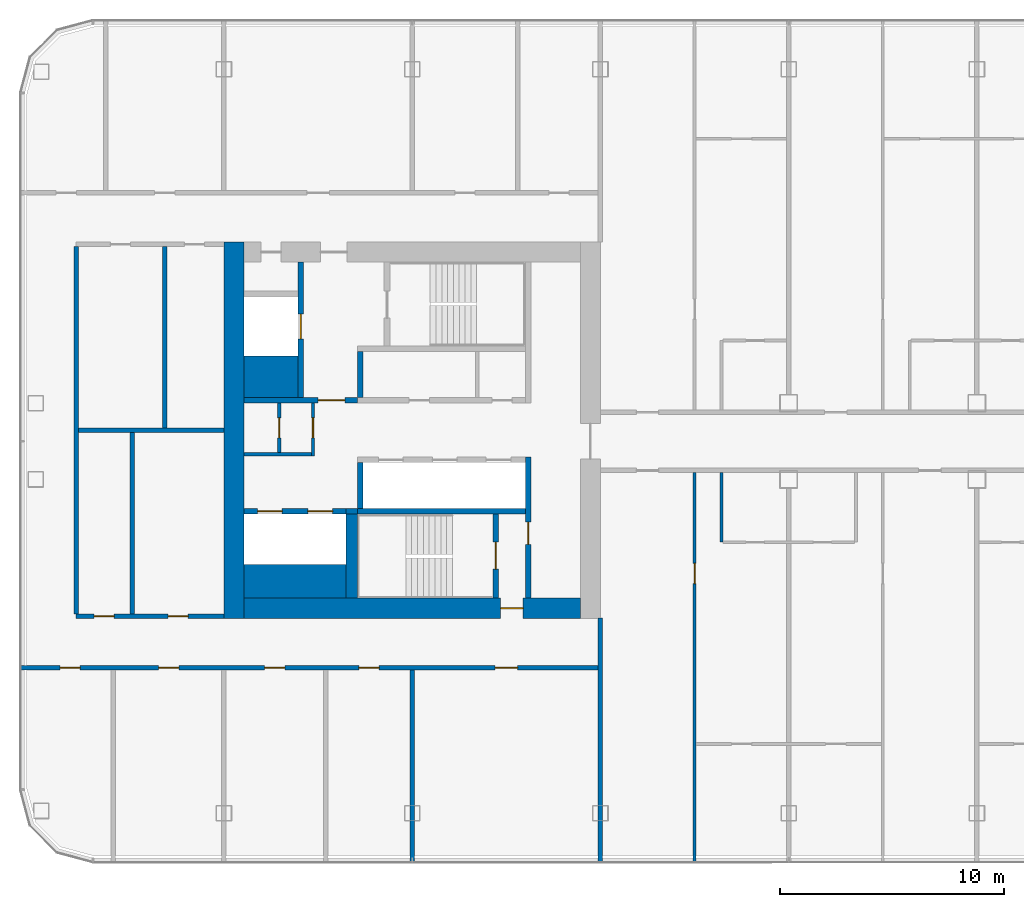
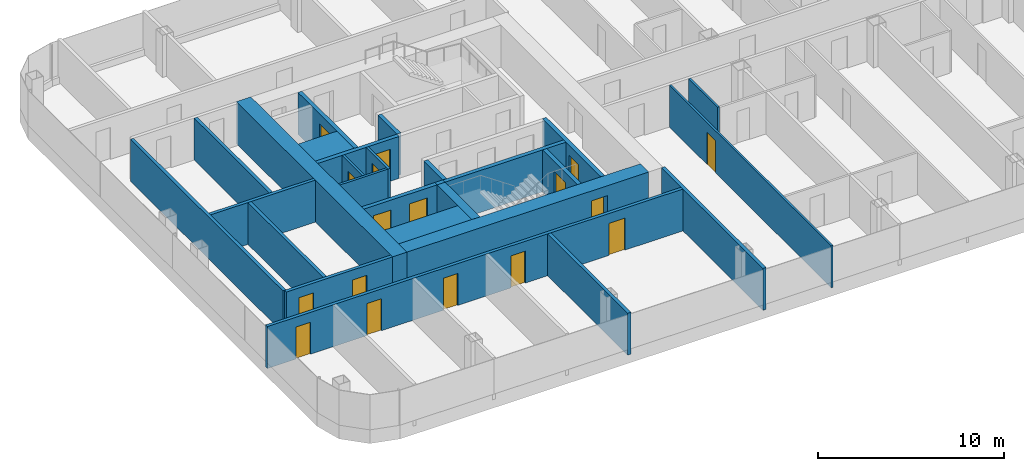
# One storey, part 12 of 26: 27 walls, 17 doors, 17 openings.
"""IFC4 building model written with IfcOpenShell, lengths in metres."""

from ifc_helpers import new_model, si_unit, direction, frame, frame_2d, origin, place, context, subcontext, project, spatial, rectangle, extrude, material, layer, layer_set, type_object, element, fill, save


model = new_model("IFC4")

# Units and contexts
model_context = context("Model", 3, precision=1e-05, world=origin(), true_north=direction((0.0, 1.0)))
body_context = subcontext(model_context, "Body", "Model", "MODEL_VIEW")
ifc_project = project(units=[si_unit("LENGTHUNIT", "METRE"), si_unit("AREAUNIT", "SQUARE_METRE"), si_unit("VOLUMEUNIT", "CUBIC_METRE"), si_unit("PLANEANGLEUNIT", "RADIAN"), si_unit("MASSUNIT", "GRAM", prefix="KILO")], contexts=[model_context])

# Site, building, storey
site_placement = place(None, origin())
site = spatial("IfcSite", under=ifc_project, at=site_placement, CompositionType="ELEMENT")
building_placement = place(site_placement, origin())
building = spatial("IfcBuilding", under=site, at=building_placement, Name="Hakoniwa Tower and Hamabe Station Hall", CompositionType="ELEMENT")
storey_placement = place(building_placement, frame((0.0, 0.0, 159.800048828125)))
storey = spatial("IfcBuildingStorey", under=building, at=storey_placement, Name="L45", CompositionType="ELEMENT", Elevation=159.800048828125)

# Wall
ifc_material_1 = material(Name="Gypsum board partition", Category="gypsum")
ifc_layer_1 = layer(ifc_material_1, 0.125)
ifc_layer_set_1 = layer_set([ifc_layer_1], Name="Bathroom Partition 125")
wall_type_1 = type_object("IfcWallType", Name="Bathroom Partition 125", PredefinedType="PARTITIONING", material=ifc_layer_set_1)
wall_1_placement = place(storey_placement, frame((-11.39990234375, -5.0, 0.0), z_axis=(0.0, 0.0, 1.0), x_axis=(0.0, 1.0, 0.0)))
element("IfcWall", 1, at=wall_1_placement, inside=storey, type_object=wall_type_1, Name="GW-L45-041", PredefinedType="PARTITIONING", context=body_context, shape_type="SweptSolid", body=[
    extrude(rectangle(XDim=3.10009765625, YDim=0.125, at=frame_2d((1.550048828125, 0.0))), origin(), (0.0, 0.0, 1.0), 2.75),
])

# Wall, opening, door
ifc_material_2 = material(Name="Gypsum board partition")
ifc_layer_2 = layer(ifc_material_2, 0.14990234375)
ifc_layer_set_2 = layer_set([ifc_layer_2], Name="CORE PARTITION 150 EI 60")
wall_type_2 = type_object("IfcWallType", Name="CORE PARTITION 150 EI 60", PredefinedType="PARTITIONING", material=ifc_layer_set_2)
wall_2_placement = place(storey_placement, frame((-29.625, -1.14990234375, 0.0), z_axis=(0.0, 0.0, 1.0), x_axis=(0.0, 1.0, 0.0)))
wall_2 = element("IfcWall", 2, at=wall_2_placement, inside=storey, type_object=wall_type_2, Name="Core partition PW0 west", PredefinedType="PARTITIONING", context=body_context, shape_type="SweptSolid", body=[
    extrude(rectangle(XDim=2.349853515625, YDim=0.14990234375, at=frame_2d((1.1748046875, 0.0))), origin(), (0.0, 0.0, 1.0), 2.75),
])
opening_1_placement = place(wall_2_placement, frame((0.800048828125, 0.0, 0.0)))
opening_1 = element("IfcOpeningElement", 3, at=opening_1_placement, cuts=wall_2, Name="Opening CD-W-RM1-9", PredefinedType="OPENING", context=body_context, shape_type="SweptSolid", body=[
    extrude(rectangle(XDim=0.89990234375, YDim=2.10009765625, at=frame_2d((0.449951171875, 1.050048828125))), frame((0.0, 0.0849609375, 0.0), z_axis=(0.0, -1.0, 0.0), x_axis=(1.0, 0.0, 0.0)), (0.0, 0.0, 1.0), 0.169921875),
])
ifc_material_3 = material(Name="Steel fire door", Category="steel")
door_type_1 = type_object("IfcDoorType", Name="CORE DOOR 900 FD30", OperationType="NOTDEFINED", PredefinedType="DOOR", material=ifc_material_3)
door_1_placement = place(opening_1_placement, origin())
door_1 = element("IfcDoor", 4, at=door_1_placement, inside=storey, type_object=door_type_1, Name="Store room door", OperationType="SINGLE_SWING_RIGHT", OverallHeight=2.10009765625, OverallWidth=0.89990234375, PredefinedType="DOOR", context=body_context, shape_type="SweptSolid", body=[
    extrude(rectangle(XDim=0.89990234375, YDim=2.10009765625, at=frame_2d((0.449951171875, 1.050048828125))), frame((0.0, 0.02490234375, 0.0), z_axis=(0.0, -1.0, 0.0), x_axis=(1.0, 0.0, 0.0)), (0.0, 0.0, 1.0), 0.050048828125),
])
fill(opening_1, door_1)

# Wall
wall_3_placement = place(storey_placement, frame((-32.699951171875, -1.074951171875, 0.0), z_axis=(0.0, 0.0, 1.0), x_axis=(1.0, 0.0, 0.0)))
element("IfcWall", 5, at=wall_3_placement, inside=storey, type_object=wall_type_2, Name="Core partition PS west", PredefinedType="PARTITIONING", context=body_context, shape_type="SweptSolid", body=[
    extrude(rectangle(XDim=3.0, YDim=0.14990234375, at=frame_2d((1.5, 0.0))), origin(), (0.0, 0.0, 1.0), 2.75),
])

# Wall, opening, door
wall_4_placement = place(storey_placement, frame((-31.125, -1.0, 0.0), z_axis=(0.0, 0.0, 1.0), x_axis=(0.0, 1.0, 0.0)))
wall_4 = element("IfcWall", 6, at=wall_4_placement, inside=storey, type_object=wall_type_2, Name="Core partition PW1 west", PredefinedType="PARTITIONING", context=body_context, shape_type="SweptSolid", body=[
    extrude(rectangle(XDim=2.199951171875, YDim=0.14990234375, at=frame_2d((1.10009765625, 0.0))), origin(), (0.0, 0.0, 1.0), 2.75),
])
opening_2_placement = place(wall_4_placement, frame((0.64990234375, 0.0, 0.0)))
opening_2 = element("IfcOpeningElement", 7, at=opening_2_placement, cuts=wall_4, Name="Opening CD-W-RM2-9", PredefinedType="OPENING", context=body_context, shape_type="SweptSolid", body=[
    extrude(rectangle(XDim=0.89990234375, YDim=2.10009765625, at=frame_2d((0.449951171875, 1.050048828125))), frame((0.0, 0.0849609375, 0.0), z_axis=(0.0, -1.0, 0.0), x_axis=(1.0, 0.0, 0.0)), (0.0, 0.0, 1.0), 0.169921875),
])
door_2_placement = place(opening_2_placement, origin())
door_2 = element("IfcDoor", 8, at=door_2_placement, inside=storey, type_object=door_type_1, Name="Store room door", OperationType="SINGLE_SWING_RIGHT", OverallHeight=2.10009765625, OverallWidth=0.89990234375, PredefinedType="DOOR", context=body_context, shape_type="SweptSolid", body=[
    extrude(rectangle(XDim=0.89990234375, YDim=2.10009765625, at=frame_2d((0.449951171875, 1.050048828125))), frame((0.0, 0.02490234375, 0.0), z_axis=(0.0, -1.0, 0.0), x_axis=(1.0, 0.0, 0.0)), (0.0, 0.0, 1.0), 0.050048828125),
])
fill(opening_2, door_2)

# Wall
ifc_material_4 = material(Name="Concrete C66", Category="concrete")
ifc_layer_3 = layer(ifc_material_4, 0.89990234375)
ifc_layer_set_3 = layer_set([ifc_layer_3], Name="CORE WALL 900 C66")
wall_type_3 = type_object("IfcWallType", Name="CORE WALL 900 C66", PredefinedType="SHEAR", material=ifc_layer_set_3)
wall_5_placement = place(storey_placement, frame((-33.14990234375, -8.39990234375, 0.0), z_axis=(0.0, 0.0, 1.0), x_axis=(0.0, 1.0, 0.0)))
element("IfcWall", 9, at=wall_5_placement, inside=storey, type_object=wall_type_3, Name="Core wall OUTER west", PredefinedType="SHEAR", context=body_context, shape_type="SweptSolid", body=[
    extrude(rectangle(XDim=16.7998046875, YDim=0.89990234375, at=frame_2d((8.39990234375, 0.0))), origin(), (0.0, 0.0, 1.0), 2.75),
])

# Wall, opening, door
wall_6_placement = place(storey_placement, frame((-32.699951171875, -7.949951171875, 0.0), z_axis=(0.0, 0.0, 1.0), x_axis=(1.0, 0.0, 0.0)))
wall_6 = element("IfcWall", 10, at=wall_6_placement, inside=storey, type_object=wall_type_3, Name="Core wall SOUTH west", PredefinedType="SHEAR", context=body_context, shape_type="SweptSolid", body=[
    extrude(rectangle(XDim=15.0, YDim=0.89990234375, at=frame_2d((7.5, 0.0))), origin(), (0.0, 0.0, 1.0), 2.75),
])
opening_3_placement = place(wall_6_placement, frame((11.449951171875, 0.0, 0.0)))
opening_3 = element("IfcOpeningElement", 11, at=opening_3_placement, cuts=wall_6, Name="Opening CD-W-FS3-10", PredefinedType="OPENING", context=body_context, shape_type="SweptSolid", body=[
    extrude(rectangle(XDim=1.0, YDim=2.10009765625, at=frame_2d((0.5, 1.050048828125))), frame((0.0, 0.4599609375, 0.0), z_axis=(0.0, -1.0, 0.0), x_axis=(1.0, 0.0, 0.0)), (0.0, 0.0, 1.0), 0.919921875),
])
ifc_material_5 = material(Name="Steel fire door", Category="steel")
door_type_2 = type_object("IfcDoorType", Name="CORE DOOR 1000 FD60", OperationType="NOTDEFINED", PredefinedType="DOOR", material=ifc_material_5)
door_3_placement = place(opening_3_placement, origin())
door_3 = element("IfcDoor", 12, at=door_3_placement, inside=storey, type_object=door_type_2, Name="Stair vestibule door", OperationType="SINGLE_SWING_RIGHT", OverallHeight=2.10009765625, OverallWidth=1.0, PredefinedType="DOOR", context=body_context, shape_type="SweptSolid", body=[
    extrude(rectangle(XDim=1.0, YDim=2.10009765625, at=frame_2d((0.5, 1.050048828125))), frame((0.0, 0.02490234375, 0.0), z_axis=(0.0, -1.0, 0.0), x_axis=(1.0, 0.0, 0.0)), (0.0, 0.0, 1.0), 0.050048828125),
])
fill(opening_3, door_3)

# Walls
ifc_material_6 = material(Name="Concrete C66", Category="concrete")
ifc_layer_4 = layer(ifc_material_6, 1.5)
ifc_layer_set_4 = layer_set([ifc_layer_4], Name="CORE WEB WALL 1500 C66")
wall_type_4 = type_object("IfcWallType", Name="CORE WEB WALL 1500 C66", PredefinedType="SHEAR", material=ifc_layer_set_4)
wall_7_placement = place(storey_placement, frame((-32.699951171875, -6.75, 0.0), z_axis=(0.0, 0.0, 1.0), x_axis=(1.0, 0.0, 0.0)))
element("IfcWall", 13, at=wall_7_placement, inside=storey, type_object=wall_type_4, Name="Core wall SER west", PredefinedType="SHEAR", context=body_context, shape_type="SweptSolid", body=[
    extrude(rectangle(XDim=4.550048828125, YDim=1.5, at=frame_2d((2.27490234375, 0.0))), origin(), (0.0, 0.0, 1.0), 2.75),
])
ifc_material_7 = material(Name="Concrete C66", Category="concrete")
ifc_layer_5 = layer(ifc_material_7, 1.85009765625)
ifc_layer_set_5 = layer_set([ifc_layer_5], Name="CORE WEB WALL 1850 C66")
wall_type_5 = type_object("IfcWallType", Name="CORE WEB WALL 1850 C66", PredefinedType="SHEAR", material=ifc_layer_set_5)
wall_8_placement = place(storey_placement, frame((-32.699951171875, 2.375, 0.0), z_axis=(0.0, 0.0, 1.0), x_axis=(1.0, 0.0, 0.0)))
element("IfcWall", 14, at=wall_8_placement, inside=storey, type_object=wall_type_5, Name="Core wall CA west", PredefinedType="SHEAR", context=body_context, shape_type="SweptSolid", body=[
    extrude(rectangle(XDim=2.39990234375, YDim=1.85009765625, at=frame_2d((1.199951171875, 0.0))), origin(), (0.0, 0.0, 1.0), 2.75),
])

# Wall, opening, door
ifc_material_8 = material(Name="Concrete C66", Category="concrete")
ifc_layer_6 = layer(ifc_material_8, 0.25)
ifc_layer_set_6 = layer_set([ifc_layer_6], Name="CORE WEB WALL 250 C66")
wall_type_6 = type_object("IfcWallType", Name="CORE WEB WALL 250 C66", PredefinedType="SHEAR", material=ifc_layer_set_6)
wall_9_placement = place(storey_placement, frame((-20.02490234375, -7.5, 0.0), z_axis=(0.0, 0.0, 1.0), x_axis=(0.0, 1.0, 0.0)))
wall_9 = element("IfcWall", 15, at=wall_9_placement, inside=storey, type_object=wall_type_6, Name="Core wall W1S west", PredefinedType="SHEAR", context=body_context, shape_type="SweptSolid", body=[
    extrude(rectangle(XDim=6.300048828125, YDim=0.25, at=frame_2d((3.14990234375, 0.0))), origin(), (0.0, 0.0, 1.0), 2.75),
])
opening_4_placement = place(wall_9_placement, frame((2.39990234375, 0.0, 0.0)))
opening_4 = element("IfcOpeningElement", 16, at=opening_4_placement, cuts=wall_9, Name="Opening CD-W-VS-10", PredefinedType="OPENING", context=body_context, shape_type="SweptSolid", body=[
    extrude(rectangle(XDim=1.0, YDim=2.10009765625, at=frame_2d((0.5, 1.050048828125))), frame((0.0, 0.135009765625, 0.0), z_axis=(0.0, -1.0, 0.0), x_axis=(1.0, 0.0, 0.0)), (0.0, 0.0, 1.0), 0.27001953125),
])
door_4_placement = place(opening_4_placement, origin())
door_4 = element("IfcDoor", 17, at=door_4_placement, inside=storey, type_object=door_type_2, Name="Stair vestibule door", OperationType="SINGLE_SWING_LEFT", OverallHeight=2.10009765625, OverallWidth=1.0, PredefinedType="DOOR", context=body_context, shape_type="SweptSolid", body=[
    extrude(rectangle(XDim=1.0, YDim=2.10009765625, at=frame_2d((0.5, 1.050048828125))), frame((0.0, 0.02490234375, 0.0), z_axis=(0.0, -1.0, 0.0), x_axis=(1.0, 0.0, 0.0)), (0.0, 0.0, 1.0), 0.050048828125),
])
fill(opening_4, door_4)

# Wall
wall_10_placement = place(storey_placement, frame((-27.52490234375, 1.449951171875, 0.0), z_axis=(0.0, 0.0, 1.0), x_axis=(0.0, 1.0, 0.0)))
element("IfcWall", 18, at=wall_10_placement, inside=storey, type_object=wall_type_6, Name="Core wall NE west", PredefinedType="SHEAR", context=body_context, shape_type="SweptSolid", body=[
    extrude(rectangle(XDim=2.050048828125, YDim=0.25, at=frame_2d((1.02490234375, 0.0))), origin(), (0.0, 0.0, 1.0), 2.75),
])

# Wall, opening, door
wall_11_placement = place(storey_placement, frame((-32.699951171875, 1.324951171875, 0.0), z_axis=(0.0, 0.0, 1.0), x_axis=(1.0, 0.0, 0.0)))
wall_11 = element("IfcWall", 19, at=wall_11_placement, inside=storey, type_object=wall_type_6, Name="Core wall ELN west", PredefinedType="SHEAR", context=body_context, shape_type="SweptSolid", body=[
    extrude(rectangle(XDim=5.050048828125, YDim=0.25, at=frame_2d((2.52490234375, 0.0))), origin(), (0.0, 0.0, 1.0), 2.75),
])
opening_5_placement = place(wall_11_placement, frame((3.300048828125, 0.0, 0.0)))
opening_5 = element("IfcOpeningElement", 20, at=opening_5_placement, cuts=wall_11, Name="Opening CD-W-FL-12", PredefinedType="OPENING", context=body_context, shape_type="SweptSolid", body=[
    extrude(rectangle(XDim=1.199951171875, YDim=2.10009765625, at=frame_2d((0.60009765625, 1.050048828125))), frame((0.0, 0.135009765625, 0.0), z_axis=(0.0, -1.0, 0.0), x_axis=(1.0, 0.0, 0.0)), (0.0, 0.0, 1.0), 0.27001953125),
])
ifc_material_9 = material(Name="Steel fire door", Category="steel")
door_type_3 = type_object("IfcDoorType", Name="CORE DOOR 1200 FD60", OperationType="DOUBLE_DOOR_SINGLE_SWING", PredefinedType="DOOR", material=ifc_material_9)
door_5_placement = place(opening_5_placement, origin())
door_5 = element("IfcDoor", 21, at=door_5_placement, inside=storey, type_object=door_type_3, Name="Stair vestibule door to the fire-fighting lobby", OperationType="DOUBLE_DOOR_SINGLE_SWING", OverallHeight=2.10009765625, OverallWidth=1.199951171875, PredefinedType="DOOR", context=body_context, shape_type="SweptSolid", body=[
    extrude(rectangle(XDim=1.199951171875, YDim=2.10009765625, at=frame_2d((0.60009765625, 1.050048828125))), frame((0.0, 0.02490234375, 0.0), z_axis=(0.0, -1.0, 0.0), x_axis=(1.0, 0.0, 0.0)), (0.0, 0.0, 1.0), 0.050048828125),
])
fill(opening_5, door_5)

wall_12_placement = place(storey_placement, frame((-30.175048828125, 1.449951171875, 0.0), z_axis=(0.0, 0.0, 1.0), x_axis=(0.0, 1.0, 0.0)))
wall_12 = element("IfcWall", 22, at=wall_12_placement, inside=storey, type_object=wall_type_6, Name="Core wall FFF west", PredefinedType="SHEAR", context=body_context, shape_type="SweptSolid", body=[
    extrude(rectangle(XDim=6.050048828125, YDim=0.25, at=frame_2d((3.02490234375, 0.0))), origin(), (0.0, 0.0, 1.0), 2.75),
])
opening_6_placement = place(wall_12_placement, frame((2.625, 0.0, 0.0)))
opening_6 = element("IfcOpeningElement", 23, at=opening_6_placement, cuts=wall_12, Name="Opening LD-FF1", PredefinedType="OPENING", context=body_context, shape_type="SweptSolid", body=[
    extrude(rectangle(XDim=1.10009765625, YDim=2.10009765625, at=frame_2d((0.550048828125, 1.050048828125))), frame((0.0, 0.135009765625, 0.0), z_axis=(0.0, -1.0, 0.0), x_axis=(1.0, 0.0, 0.0)), (0.0, 0.0, 1.0), 0.27001953125),
])
ifc_material_10 = material(Name="Stainless steel SUS304", Category="steel")
door_type_4 = type_object("IfcDoorType", Name="LIFT LANDING DOOR 1100 FD60", OperationType="DOUBLE_DOOR_SLIDING", PredefinedType="DOOR", material=ifc_material_10)
door_6_placement = place(opening_6_placement, origin())
door_6 = element("IfcDoor", 24, at=door_6_placement, inside=storey, type_object=door_type_4, Name="Lift landing door FF1 L45", OperationType="DOUBLE_DOOR_SLIDING", OverallHeight=2.10009765625, OverallWidth=1.10009765625, PredefinedType="DOOR", context=body_context, shape_type="SweptSolid", body=[
    extrude(rectangle(XDim=1.10009765625, YDim=2.10009765625, at=frame_2d((0.550048828125, 1.050048828125))), frame((0.0, 0.02490234375, 0.0), z_axis=(0.0, -1.0, 0.0), x_axis=(1.0, 0.0, 0.0)), (0.0, 0.0, 1.0), 0.050048828125),
])
fill(opening_6, door_6)

# Walls
wall_13_placement = place(storey_placement, frame((-27.52490234375, -3.5, 0.0), z_axis=(0.0, 0.0, 1.0), x_axis=(0.0, 1.0, 0.0)))
element("IfcWall", 25, at=wall_13_placement, inside=storey, type_object=wall_type_6, Name="Core wall SE west", PredefinedType="SHEAR", context=body_context, shape_type="SweptSolid", body=[
    extrude(rectangle(XDim=2.050048828125, YDim=0.25, at=frame_2d((1.02490234375, 0.0))), origin(), (0.0, 0.0, 1.0), 2.75),
])
wall_14_placement = place(storey_placement, frame((-27.64990234375, -3.625, 0.0), z_axis=(0.0, 0.0, 1.0), x_axis=(1.0, 0.0, 0.0)))
element("IfcWall", 26, at=wall_14_placement, inside=storey, type_object=wall_type_6, Name="Core wall SR west", PredefinedType="SHEAR", context=body_context, shape_type="SweptSolid", body=[
    extrude(rectangle(XDim=7.5, YDim=0.25, at=frame_2d((3.75, 0.0))), origin(), (0.0, 0.0, 1.0), 2.75),
])

# Wall, opening, door
wall_15_placement = place(storey_placement, frame((-21.47509765625, -7.5, 0.0), z_axis=(0.0, 0.0, 1.0), x_axis=(0.0, 1.0, 0.0)))
wall_15 = element("IfcWall", 27, at=wall_15_placement, inside=storey, type_object=wall_type_6, Name="Core wall VE west", PredefinedType="SHEAR", context=body_context, shape_type="SweptSolid", body=[
    extrude(rectangle(XDim=3.75, YDim=0.25, at=frame_2d((1.875, 0.0))), origin(), (0.0, 0.0, 1.0), 2.75),
])
opening_7_placement = place(wall_15_placement, frame((1.300048828125, 0.0, 0.0)))
opening_7 = element("IfcOpeningElement", 28, at=opening_7_placement, cuts=wall_15, Name="Opening CD-W-SS-12", PredefinedType="OPENING", context=body_context, shape_type="SweptSolid", body=[
    extrude(rectangle(XDim=1.199951171875, YDim=2.10009765625, at=frame_2d((0.60009765625, 1.050048828125))), frame((0.0, 0.135009765625, 0.0), z_axis=(0.0, -1.0, 0.0), x_axis=(1.0, 0.0, 0.0)), (0.0, 0.0, 1.0), 0.27001953125),
])
door_7_placement = place(opening_7_placement, origin())
door_7 = element("IfcDoor", 29, at=door_7_placement, inside=storey, type_object=door_type_3, Name="Escape stair door", OperationType="DOUBLE_DOOR_SINGLE_SWING", OverallHeight=2.10009765625, OverallWidth=1.199951171875, PredefinedType="DOOR", context=body_context, shape_type="SweptSolid", body=[
    extrude(rectangle(XDim=1.199951171875, YDim=2.10009765625, at=frame_2d((0.60009765625, 1.050048828125))), frame((0.0, 0.02490234375, 0.0), z_axis=(0.0, -1.0, 0.0), x_axis=(1.0, 0.0, 0.0)), (0.0, 0.0, 1.0), 0.050048828125),
])
fill(opening_7, door_7)

# Wall, openings, doors
wall_16_placement = place(storey_placement, frame((-32.699951171875, -3.625, 0.0), z_axis=(0.0, 0.0, 1.0), x_axis=(1.0, 0.0, 0.0)))
wall_16 = element("IfcWall", 30, at=wall_16_placement, inside=storey, type_object=wall_type_6, Name="Core wall SEF west", PredefinedType="SHEAR", context=body_context, shape_type="SweptSolid", body=[
    extrude(rectangle(XDim=4.550048828125, YDim=0.25, at=frame_2d((2.27490234375, 0.0))), origin(), (0.0, 0.0, 1.0), 2.75),
])
opening_8_placement = place(wall_16_placement, frame((2.85009765625, 0.0, 0.0)))
opening_8 = element("IfcOpeningElement", 31, at=opening_8_placement, cuts=wall_16, Name="Opening LD-SV1", PredefinedType="OPENING", context=body_context, shape_type="SweptSolid", body=[
    extrude(rectangle(XDim=1.10009765625, YDim=2.10009765625, at=frame_2d((0.550048828125, 1.050048828125))), frame((0.0, 0.135009765625, 0.0), z_axis=(0.0, -1.0, 0.0), x_axis=(1.0, 0.0, 0.0)), (0.0, 0.0, 1.0), 0.27001953125),
])
opening_9_placement = place(wall_16_placement, frame((0.60009765625, 0.0, 0.0)))
opening_9 = element("IfcOpeningElement", 32, at=opening_9_placement, cuts=wall_16, Name="Opening LD-SV2", PredefinedType="OPENING", context=body_context, shape_type="SweptSolid", body=[
    extrude(rectangle(XDim=1.10009765625, YDim=2.10009765625, at=frame_2d((0.550048828125, 1.050048828125))), frame((0.0, 0.135009765625, 0.0), z_axis=(0.0, -1.0, 0.0), x_axis=(1.0, 0.0, 0.0)), (0.0, 0.0, 1.0), 0.27001953125),
])
door_8_placement = place(opening_8_placement, origin())
door_8 = element("IfcDoor", 33, at=door_8_placement, inside=storey, type_object=door_type_4, Name="Lift landing door SV1 L45", OperationType="DOUBLE_DOOR_SLIDING", OverallHeight=2.10009765625, OverallWidth=1.10009765625, PredefinedType="DOOR", context=body_context, shape_type="SweptSolid", body=[
    extrude(rectangle(XDim=1.10009765625, YDim=2.10009765625, at=frame_2d((0.550048828125, 1.050048828125))), frame((0.0, 0.02490234375, 0.0), z_axis=(0.0, -1.0, 0.0), x_axis=(1.0, 0.0, 0.0)), (0.0, 0.0, 1.0), 0.050048828125),
])
fill(opening_8, door_8)
door_9_placement = place(opening_9_placement, origin())
door_9 = element("IfcDoor", 34, at=door_9_placement, inside=storey, type_object=door_type_4, Name="Lift landing door SV2 L45", OperationType="DOUBLE_DOOR_SLIDING", OverallHeight=2.10009765625, OverallWidth=1.10009765625, PredefinedType="DOOR", context=body_context, shape_type="SweptSolid", body=[
    extrude(rectangle(XDim=1.10009765625, YDim=2.10009765625, at=frame_2d((0.550048828125, 1.050048828125))), frame((0.0, 0.02490234375, 0.0), z_axis=(0.0, -1.0, 0.0), x_axis=(1.0, 0.0, 0.0)), (0.0, 0.0, 1.0), 0.050048828125),
])
fill(opening_9, door_9)

# Walls
wall_17_placement = place(storey_placement, frame((-28.14990234375, -3.625, 0.0), z_axis=(0.0, 0.0, 1.0), x_axis=(1.0, 0.0, 0.0)))
element("IfcWall", 35, at=wall_17_placement, inside=storey, type_object=wall_type_6, Name="Core wall SRK west", PredefinedType="SHEAR", context=body_context, shape_type="SweptSolid", body=[
    extrude(rectangle(XDim=0.5, YDim=0.25, at=frame_2d((0.25, 0.0))), origin(), (0.0, 0.0, 1.0), 2.75),
])
ifc_material_11 = material(Name="Concrete C66", Category="concrete")
ifc_layer_7 = layer(ifc_material_11, 0.5)
ifc_layer_set_7 = layer_set([ifc_layer_7], Name="CORE WEB WALL 500 C66")
wall_type_7 = type_object("IfcWallType", Name="CORE WEB WALL 500 C66", PredefinedType="SHEAR", material=ifc_layer_set_7)
wall_18_placement = place(storey_placement, frame((-27.89990234375, -7.5, 0.0), z_axis=(0.0, 0.0, 1.0), x_axis=(0.0, 1.0, 0.0)))
element("IfcWall", 36, at=wall_18_placement, inside=storey, type_object=wall_type_7, Name="Core wall SSE west", PredefinedType="SHEAR", context=body_context, shape_type="SweptSolid", body=[
    extrude(rectangle(XDim=3.75, YDim=0.5, at=frame_2d((1.875, 0.0))), origin(), (0.0, 0.0, 1.0), 2.75),
])

# Wall, openings, doors
ifc_material_12 = material(Name="Fire-rated gypsum board partition", Category="gypsum")
ifc_layer_8 = layer(ifc_material_12, 0.199951171875)
ifc_layer_set_8 = layer_set([ifc_layer_8], Name="Corridor Wall 200")
wall_type_8 = type_object("IfcWallType", Name="Corridor Wall 200", PredefinedType="PARTITIONING", material=ifc_layer_set_8)
wall_19_placement = place(storey_placement, frame((-42.699951171875, -10.60009765625, 0.0), z_axis=(0.0, 0.0, 1.0), x_axis=(1.0, 0.0, 0.0)))
wall_19 = element("IfcWall", 37, at=wall_19_placement, inside=storey, type_object=wall_type_8, Name="GW-L45-004", PredefinedType="PARTITIONING", context=body_context, shape_type="SweptSolid", body=[
    extrude(rectangle(XDim=25.89990234375, YDim=0.199951171875, at=frame_2d((12.949951171875, 0.0))), origin(), (0.0, 0.0, 1.0), 2.75),
])
opening_10_placement = place(wall_19_placement, frame((1.784912109375, 0.0, 0.0)))
opening_10 = element("IfcOpeningElement", 38, at=opening_10_placement, cuts=wall_19, Name="Opening GD-G3E1-05", PredefinedType="OPENING", context=body_context, shape_type="SweptSolid", body=[
    extrude(rectangle(XDim=0.89990234375, YDim=2.10009765625, at=frame_2d((0.449951171875, 1.050048828125))), frame((0.0, 0.10986328125, 0.0), z_axis=(0.0, -1.0, 0.0), x_axis=(1.0, 0.0, 0.0)), (0.0, 0.0, 1.0), 0.219970703125),
])
opening_11_placement = place(wall_19_placement, frame((6.18505859375, 0.0, 0.0)))
opening_11 = element("IfcOpeningElement", 39, at=opening_11_placement, cuts=wall_19, Name="Opening GD-G3E1-06", PredefinedType="OPENING", context=body_context, shape_type="SweptSolid", body=[
    extrude(rectangle(XDim=0.89990234375, YDim=2.10009765625, at=frame_2d((0.449951171875, 1.050048828125))), frame((0.0, 0.10986328125, 0.0), z_axis=(0.0, -1.0, 0.0), x_axis=(1.0, 0.0, 0.0)), (0.0, 0.0, 1.0), 0.219970703125),
])
opening_12_placement = place(wall_19_placement, frame((10.919921875, 0.0, 0.0)))
opening_12 = element("IfcOpeningElement", 40, at=opening_12_placement, cuts=wall_19, Name="Opening GD-G3E1-07", PredefinedType="OPENING", context=body_context, shape_type="SweptSolid", body=[
    extrude(rectangle(XDim=0.89990234375, YDim=2.10009765625, at=frame_2d((0.449951171875, 1.050048828125))), frame((0.0, 0.10986328125, 0.0), z_axis=(0.0, -1.0, 0.0), x_axis=(1.0, 0.0, 0.0)), (0.0, 0.0, 1.0), 0.219970703125),
])
opening_13_placement = place(wall_19_placement, frame((15.1201171875, 0.0, 0.0)))
opening_13 = element("IfcOpeningElement", 41, at=opening_13_placement, cuts=wall_19, Name="Opening GD-G3E1-08", PredefinedType="OPENING", context=body_context, shape_type="SweptSolid", body=[
    extrude(rectangle(XDim=0.89990234375, YDim=2.10009765625, at=frame_2d((0.449951171875, 1.050048828125))), frame((0.0, 0.10986328125, 0.0), z_axis=(0.0, -1.0, 0.0), x_axis=(1.0, 0.0, 0.0)), (0.0, 0.0, 1.0), 0.219970703125),
])
opening_14_placement = place(wall_19_placement, frame((21.199951171875, 0.0, 0.0)))
opening_14 = element("IfcOpeningElement", 42, at=opening_14_placement, cuts=wall_19, Name="Opening GD-G3E1-09", PredefinedType="OPENING", context=body_context, shape_type="SweptSolid", body=[
    extrude(rectangle(XDim=1.0, YDim=2.10009765625, at=frame_2d((0.5, 1.050048828125))), frame((0.0, 0.10986328125, 0.0), z_axis=(0.0, -1.0, 0.0), x_axis=(1.0, 0.0, 0.0)), (0.0, 0.0, 1.0), 0.219970703125),
])
ifc_material_13 = material(Name="Timber door leaf", Category="wood")
door_type_5 = type_object("IfcDoorType", Name="Guest Entrance Door 1000", OperationType="SINGLE_SWING_LEFT", PredefinedType="DOOR", material=ifc_material_13)
door_10_placement = place(opening_14_placement, origin())
door_10 = element("IfcDoor", 43, at=door_10_placement, inside=storey, type_object=door_type_5, Name="Door GD-G3E1-09", OperationType="SINGLE_SWING_RIGHT", OverallHeight=2.10009765625, OverallWidth=1.0, PredefinedType="DOOR", context=body_context, shape_type="SweptSolid", body=[
    extrude(rectangle(XDim=1.0, YDim=2.10009765625, at=frame_2d((0.5, 1.050048828125))), frame((0.0, 0.02490234375, 0.0), z_axis=(0.0, -1.0, 0.0), x_axis=(1.0, 0.0, 0.0)), (0.0, 0.0, 1.0), 0.050048828125),
])
fill(opening_14, door_10)
ifc_material_14 = material(Name="Timber door leaf", Category="wood")
door_type_6 = type_object("IfcDoorType", Name="Service Door 900", OperationType="SINGLE_SWING_LEFT", PredefinedType="DOOR", material=ifc_material_14)
door_11_placement = place(opening_10_placement, origin())
door_11 = element("IfcDoor", 44, at=door_11_placement, inside=storey, type_object=door_type_6, Name="Door GD-G3E1-05", OperationType="SINGLE_SWING_RIGHT", OverallHeight=2.10009765625, OverallWidth=0.89990234375, PredefinedType="DOOR", context=body_context, shape_type="SweptSolid", body=[
    extrude(rectangle(XDim=0.89990234375, YDim=2.10009765625, at=frame_2d((0.449951171875, 1.050048828125))), frame((0.0, 0.02490234375, 0.0), z_axis=(0.0, -1.0, 0.0), x_axis=(1.0, 0.0, 0.0)), (0.0, 0.0, 1.0), 0.050048828125),
])
fill(opening_10, door_11)
door_12_placement = place(opening_11_placement, origin())
door_12 = element("IfcDoor", 45, at=door_12_placement, inside=storey, type_object=door_type_6, Name="Door GD-G3E1-06", OperationType="SINGLE_SWING_LEFT", OverallHeight=2.10009765625, OverallWidth=0.89990234375, PredefinedType="DOOR", context=body_context, shape_type="SweptSolid", body=[
    extrude(rectangle(XDim=0.89990234375, YDim=2.10009765625, at=frame_2d((0.449951171875, 1.050048828125))), frame((0.0, 0.02490234375, 0.0), z_axis=(0.0, -1.0, 0.0), x_axis=(1.0, 0.0, 0.0)), (0.0, 0.0, 1.0), 0.050048828125),
])
fill(opening_11, door_12)
door_13_placement = place(opening_12_placement, origin())
door_13 = element("IfcDoor", 46, at=door_13_placement, inside=storey, type_object=door_type_6, Name="Door GD-G3E1-07", OperationType="SINGLE_SWING_RIGHT", OverallHeight=2.10009765625, OverallWidth=0.89990234375, PredefinedType="DOOR", context=body_context, shape_type="SweptSolid", body=[
    extrude(rectangle(XDim=0.89990234375, YDim=2.10009765625, at=frame_2d((0.449951171875, 1.050048828125))), frame((0.0, 0.02490234375, 0.0), z_axis=(0.0, -1.0, 0.0), x_axis=(1.0, 0.0, 0.0)), (0.0, 0.0, 1.0), 0.050048828125),
])
fill(opening_12, door_13)
door_14_placement = place(opening_13_placement, origin())
door_14 = element("IfcDoor", 47, at=door_14_placement, inside=storey, type_object=door_type_6, Name="Door GD-G3E1-08", OperationType="SINGLE_SWING_LEFT", OverallHeight=2.10009765625, OverallWidth=0.89990234375, PredefinedType="DOOR", context=body_context, shape_type="SweptSolid", body=[
    extrude(rectangle(XDim=0.89990234375, YDim=2.10009765625, at=frame_2d((0.449951171875, 1.050048828125))), frame((0.0, 0.02490234375, 0.0), z_axis=(0.0, -1.0, 0.0), x_axis=(1.0, 0.0, 0.0)), (0.0, 0.0, 1.0), 0.050048828125),
])
fill(opening_13, door_14)

wall_20_placement = place(storey_placement, frame((-40.199951171875, -8.300048828125, 0.0), z_axis=(0.0, 0.0, 1.0), x_axis=(1.0, 0.0, 0.0)))
wall_20 = element("IfcWall", 48, at=wall_20_placement, inside=storey, type_object=wall_type_8, Name="GW-L45-006", PredefinedType="PARTITIONING", context=body_context, shape_type="SweptSolid", body=[
    extrude(rectangle(XDim=6.599853515625, YDim=0.199951171875, at=frame_2d((3.2998046875, 0.0))), origin(), (0.0, 0.0, 1.0), 2.75),
])
opening_15_placement = place(wall_20_placement, frame((0.804931640625, 0.0, 0.0)))
opening_15 = element("IfcOpeningElement", 49, at=opening_15_placement, cuts=wall_20, Name="Opening GD-G3E1-13", PredefinedType="OPENING", context=body_context, shape_type="SweptSolid", body=[
    extrude(rectangle(XDim=0.89990234375, YDim=2.10009765625, at=frame_2d((0.449951171875, 1.050048828125))), frame((0.0, 0.10986328125, 0.0), z_axis=(0.0, -1.0, 0.0), x_axis=(1.0, 0.0, 0.0)), (0.0, 0.0, 1.0), 0.219970703125),
])
opening_16_placement = place(wall_20_placement, frame((4.10498046875, 0.0, 0.0)))
opening_16 = element("IfcOpeningElement", 50, at=opening_16_placement, cuts=wall_20, Name="Opening GD-G3E1-14", PredefinedType="OPENING", context=body_context, shape_type="SweptSolid", body=[
    extrude(rectangle(XDim=0.89990234375, YDim=2.10009765625, at=frame_2d((0.449951171875, 1.050048828125))), frame((0.0, 0.10986328125, 0.0), z_axis=(0.0, -1.0, 0.0), x_axis=(1.0, 0.0, 0.0)), (0.0, 0.0, 1.0), 0.219970703125),
])
door_15_placement = place(opening_15_placement, origin())
door_15 = element("IfcDoor", 51, at=door_15_placement, inside=storey, type_object=door_type_6, Name="Door GD-G3E1-13", OperationType="SINGLE_SWING_RIGHT", OverallHeight=2.10009765625, OverallWidth=0.89990234375, PredefinedType="DOOR", context=body_context, shape_type="SweptSolid", body=[
    extrude(rectangle(XDim=0.89990234375, YDim=2.10009765625, at=frame_2d((0.449951171875, 1.050048828125))), frame((0.0, 0.02490234375, 0.0), z_axis=(0.0, -1.0, 0.0), x_axis=(1.0, 0.0, 0.0)), (0.0, 0.0, 1.0), 0.050048828125),
])
fill(opening_15, door_15)
door_16_placement = place(opening_16_placement, origin())
door_16 = element("IfcDoor", 52, at=door_16_placement, inside=storey, type_object=door_type_6, Name="Door GD-G3E1-14", OperationType="SINGLE_SWING_RIGHT", OverallHeight=2.10009765625, OverallWidth=0.89990234375, PredefinedType="DOOR", context=body_context, shape_type="SweptSolid", body=[
    extrude(rectangle(XDim=0.89990234375, YDim=2.10009765625, at=frame_2d((0.449951171875, 1.050048828125))), frame((0.0, 0.02490234375, 0.0), z_axis=(0.0, -1.0, 0.0), x_axis=(1.0, 0.0, 0.0)), (0.0, 0.0, 1.0), 0.050048828125),
])
fill(opening_16, door_16)

# Walls
ifc_material_15 = material(Name="Fire-rated gypsum board partition", Category="gypsum")
ifc_layer_9 = layer(ifc_material_15, 0.199951171875)
ifc_layer_set_9 = layer_set([ifc_layer_9], Name="Party Wall 200")
wall_type_9 = type_object("IfcWallType", Name="Party Wall 200", PredefinedType="PARTITIONING", material=ifc_layer_set_9)
wall_21_placement = place(storey_placement, frame((-40.10009765625, 0.0, 0.0), z_axis=(0.0, 0.0, 1.0), x_axis=(1.0, 0.0, 0.0)))
element("IfcWall", 53, at=wall_21_placement, inside=storey, type_object=wall_type_9, Name="GW-L45-012", PredefinedType="PARTITIONING", context=body_context, shape_type="SweptSolid", body=[
    extrude(rectangle(XDim=6.5, YDim=0.199951171875, at=frame_2d((3.25, 0.0))), origin(), (0.0, 0.0, 1.0), 2.75),
])
wall_22_placement = place(storey_placement, frame((-40.199951171875, -8.199951171875, 0.0), z_axis=(0.0, 0.0, 1.0), x_axis=(0.0, 1.0, 0.0)))
element("IfcWall", 54, at=wall_22_placement, inside=storey, type_object=wall_type_9, Name="GW-L45-026", PredefinedType="PARTITIONING", context=body_context, shape_type="SweptSolid", body=[
    extrude(rectangle(XDim=16.39990234375, YDim=0.199951171875, at=frame_2d((8.199951171875, 0.0))), origin(), (0.0, 0.0, 1.0), 2.75),
])
for number, where, z_axis, x_axis, name in (
    (55, (-37.68994140625, -8.199951171875, 0.0), (0.0, 0.0, 1.0), (0.0, 1.0, 0.0), "GW-L45-029"),
    (56, (-36.239990234375, 0.0, 0.0), (0.0, 0.0, 1.0), (0.0, 1.0, 0.0), "GW-L45-030"),
):
    element("IfcWall", number, at=place(storey_placement, frame(where, z_axis=z_axis, x_axis=x_axis)), inside=storey, type_object=wall_type_9, Name=name, PredefinedType="PARTITIONING", context=body_context, shape_type="SweptSolid", body=[
        extrude(rectangle(XDim=8.199951171875, YDim=0.199951171875, at=frame_2d((4.10009765625, 0.0))), origin(), (0.0, 0.0, 1.0), 2.75),
    ])
wall_23_placement = place(storey_placement, frame((-25.199951171875, -19.300048828125, 0.0), z_axis=(0.0, 0.0, 1.0), x_axis=(0.0, 1.0, 0.0)))
element("IfcWall", 57, at=wall_23_placement, inside=storey, type_object=wall_type_9, Name="GW-L45-034", PredefinedType="PARTITIONING", context=body_context, shape_type="SweptSolid", body=[
    extrude(rectangle(XDim=8.60009765625, YDim=0.199951171875, at=frame_2d((4.300048828125, 0.0))), origin(), (0.0, 0.0, 1.0), 2.75),
])
wall_24_placement = place(storey_placement, frame((-16.800048828125, -19.300048828125, 0.0), z_axis=(0.0, 0.0, 1.0), x_axis=(0.0, 1.0, 0.0)))
element("IfcWall", 58, at=wall_24_placement, inside=storey, type_object=wall_type_9, Name="GW-L45-037", PredefinedType="PARTITIONING", context=body_context, shape_type="SweptSolid", body=[
    extrude(rectangle(XDim=10.91015625, YDim=0.199951171875, at=frame_2d((5.455078125, 0.0))), origin(), (0.0, 0.0, 1.0), 2.75),
])

# Wall, opening, door
ifc_material_16 = material(Name="Gypsum board partition", Category="gypsum")
ifc_layer_10 = layer(ifc_material_16, 0.125)
ifc_layer_set_10 = layer_set([ifc_layer_10], Name="Room Partition 125")
wall_type_10 = type_object("IfcWallType", Name="Room Partition 125", PredefinedType="PARTITIONING", material=ifc_layer_set_10)
wall_25_placement = place(storey_placement, frame((-12.60009765625, -19.300048828125, 0.0), z_axis=(0.0, 0.0, 1.0), x_axis=(0.0, 1.0, 0.0)))
wall_25 = element("IfcWall", 59, at=wall_25_placement, inside=storey, type_object=wall_type_10, Name="GW-L45-039", PredefinedType="PARTITIONING", context=body_context, shape_type="SweptSolid", body=[
    extrude(rectangle(XDim=17.400146484375, YDim=0.125, at=frame_2d((8.7001953125, 0.0))), origin(), (0.0, 0.0, 1.0), 2.75),
])
opening_17_placement = place(wall_25_placement, frame((12.449951171875, 0.0, 0.0)))
opening_17 = element("IfcOpeningElement", 60, at=opening_17_placement, cuts=wall_25, Name="Opening GD-G3E1-50", PredefinedType="OPENING", context=body_context, shape_type="SweptSolid", body=[
    extrude(rectangle(XDim=0.89990234375, YDim=2.10009765625, at=frame_2d((0.449951171875, 1.050048828125))), frame((0.0, 0.072509765625, 0.0), z_axis=(0.0, -1.0, 0.0), x_axis=(1.0, 0.0, 0.0)), (0.0, 0.0, 1.0), 0.14501953125),
])
ifc_material_17 = material(Name="Timber door leaf", Category="wood")
door_type_7 = type_object("IfcDoorType", Name="Suite Interior Door 900", OperationType="SINGLE_SWING_LEFT", PredefinedType="DOOR", material=ifc_material_17)
door_17_placement = place(opening_17_placement, origin())
door_17 = element("IfcDoor", 61, at=door_17_placement, inside=storey, type_object=door_type_7, Name="Door GD-G3E1-50", OperationType="SINGLE_SWING_RIGHT", OverallHeight=2.10009765625, OverallWidth=0.89990234375, PredefinedType="DOOR", context=body_context, shape_type="SweptSolid", body=[
    extrude(rectangle(XDim=0.89990234375, YDim=2.10009765625, at=frame_2d((0.449951171875, 1.050048828125))), frame((0.0, 0.02490234375, 0.0), z_axis=(0.0, -1.0, 0.0), x_axis=(1.0, 0.0, 0.0)), (0.0, 0.0, 1.0), 0.050048828125),
])
fill(opening_17, door_17)

save(model, "model.ifc")
